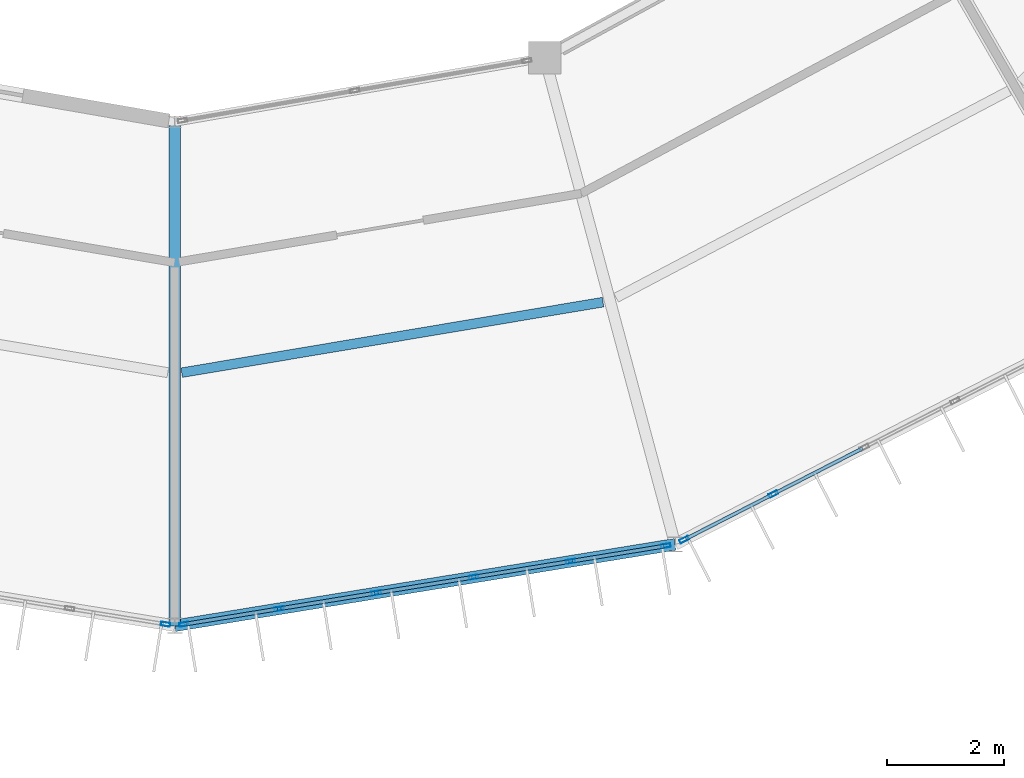
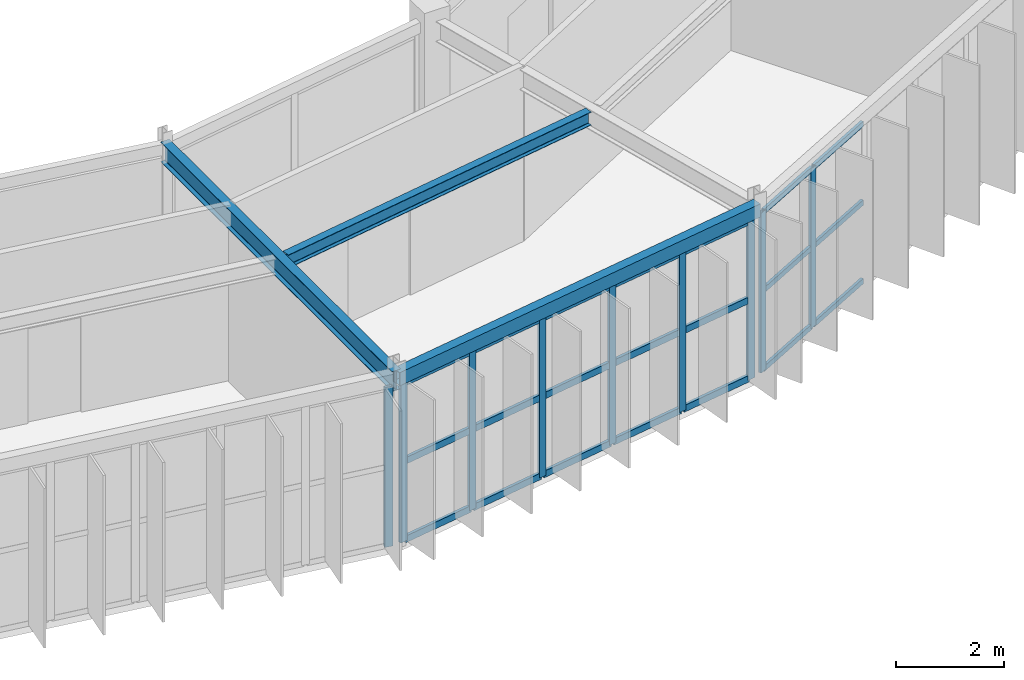
# One storey, part 44 of 134: 30 members, 3 beams, 3 elements without a shape of their own.
"""IFC4 building model written with IfcOpenShell, lengths in metres."""

from ifc_helpers import new_model, si_unit, direction, frame, origin, origin_2d, place, context, subcontext, project, spatial, hollow_rectangle, i_section, extrude, material, material_profile, profile_set, type_object, element, aggregate, save


model = new_model("IFC4")

# Units and contexts
model_context = context("Model", 3, precision=1e-05, world=origin(), true_north=direction((0.0, 1.0)))
body_context = subcontext(model_context, "Body", "Model", "MODEL_VIEW")
ifc_project = project(units=[si_unit("LENGTHUNIT", "METRE"), si_unit("AREAUNIT", "SQUARE_METRE"), si_unit("VOLUMEUNIT", "CUBIC_METRE"), si_unit("PLANEANGLEUNIT", "RADIAN"), si_unit("MASSUNIT", "GRAM", prefix="KILO")], contexts=[model_context])

# Site, building, storey
site_placement = place(None, origin())
site = spatial("IfcSite", under=ifc_project, at=site_placement, CompositionType="ELEMENT")
building_placement = place(site_placement, origin())
building = spatial("IfcBuilding", under=site, at=building_placement, Name="Karori Crest Natural Sciences Institute", CompositionType="ELEMENT")
storey_placement = place(building_placement, frame((0.0, 0.0, 21.699951171875)))
storey = spatial("IfcBuildingStorey", under=building, at=storey_placement, Name="L05", CompositionType="ELEMENT", Elevation=21.699951171875)

# Beams
ifc_material_1 = material(Name="Structural steel AS/NZS 3679.1 Grade 350", Category="steel")
ifc_material_profile_1 = material_profile(ifc_material_1, i_section(OverallWidth=0.1650390625, OverallDepth=0.303955078125, WebThickness=0.006103515625, FlangeThickness=0.01025390625, FilletRadius=0.010986328125, at=origin_2d()), Name="310UB40.4")
ifc_profile_set_1 = profile_set([ifc_material_profile_1], Name="Structural steel AS/NZS 3679.1 Grade 350")
beam_type_1 = type_object("IfcBeamType", Name="BT-10", PredefinedType="BEAM", material=ifc_profile_set_1)
beam_1_placement = place(storey_placement, frame((66.518310546875, 13.419921875, 3.7880859375), z_axis=(0.986276028212, 0.165104803609, 0.0), x_axis=(-0.165104803609, 0.986276028212, 0.0)))
element("IfcBeam", 1, at=beam_1_placement, inside=storey, type_object=beam_type_1, Name="Beam B-0599", PredefinedType="BEAM", context=body_context, shape_type="SweptSolid", body=[
    extrude(i_section(OverallWidth=0.1650390625, OverallDepth=0.303955078125, WebThickness=0.006103515625, FlangeThickness=0.01025390625, FilletRadius=0.010986328125, at=origin_2d()), origin(), (0.0, 0.0, 1.0), 7.29150390625),
])
ifc_material_2 = material(Name="Hollow structural steel AS/NZS 1163 Grade C350", Category="steel")
ifc_material_profile_2 = material_profile(ifc_material_2, hollow_rectangle(XDim=0.199951171875, YDim=0.300048828125, WallThickness=0.010009765625, at=origin_2d()), Name="RHS300x200x10")
ifc_profile_set_2 = profile_set([ifc_material_profile_2], Name="Hollow structural steel AS/NZS 1163 Grade C350")
beam_type_2 = type_object("IfcBeamType", Name="BT-15", PredefinedType="SPANDREL", material=ifc_profile_set_2)
beam_2_placement = place(storey_placement, frame((66.39990234375, 9.10009765625, 3.7900390625), z_axis=(0.987012055933, 0.160646199591, 0.0), x_axis=(-0.160646199591, 0.987012055933, 0.0)))
element("IfcBeam", 2, at=beam_2_placement, inside=storey, type_object=beam_type_2, Name="Beam B-0596", PredefinedType="SPANDREL", context=body_context, shape_type="SweptSolid", body=[
    extrude(hollow_rectangle(XDim=0.199951171875, YDim=0.300048828125, WallThickness=0.010009765625, at=origin_2d()), origin(), (0.0, 0.0, 1.0), 8.6533203125),
])
ifc_material_profile_3 = material_profile(ifc_material_1, i_section(OverallWidth=0.18994140625, OverallDepth=0.4541015625, WebThickness=0.008544921875, FlangeThickness=0.0126953125, FilletRadius=0.010986328125, at=origin_2d()), Name="460UB67.1")
ifc_profile_set_3 = profile_set([ifc_material_profile_3], Name="Structural steel AS/NZS 3679.1 Grade 350")
beam_type_3 = type_object("IfcBeamType", Name="BT-28", PredefinedType="BEAM", material=ifc_profile_set_3)
beam_3_placement = place(storey_placement, frame((66.39990234375, 17.699951171875, 3.713134765625), z_axis=(0.0, -1.0, 0.0), x_axis=(1.0, 0.0, 0.0)))
element("IfcBeam", 3, at=beam_3_placement, inside=storey, type_object=beam_type_3, Name="Beam B-0598", PredefinedType="BEAM", context=body_context, shape_type="SweptSolid", body=[
    extrude(i_section(OverallWidth=0.18994140625, OverallDepth=0.4541015625, WebThickness=0.008544921875, FlangeThickness=0.0126953125, FilletRadius=0.010986328125, at=origin_2d()), origin(), (0.0, 0.0, 1.0), 8.599853515625),
])

# Curtain wall, member
ifc_material_3 = material(Name="Anodised architectural aluminium 6063-T6", Category="aluminium")
curtain_wall_type_1 = type_object("IfcCurtainWallType", Name="CWT-08", PredefinedType="NOTDEFINED", material=ifc_material_3)
curtain_wall_1_placement = place(storey_placement, origin())
curtain_wall_1 = element("IfcCurtainWall", 4, at=curtain_wall_1_placement, inside=storey, type_object=curtain_wall_type_1, Name="Curtain wall CW-0198", PredefinedType="NOTDEFINED")
ifc_material_profile_4 = material_profile(ifc_material_3, hollow_rectangle(XDim=0.06494140625, YDim=0.159912109375, WallThickness=0.00390625, at=origin_2d()), Name="CWM160x65x4")
ifc_profile_set_4 = profile_set([ifc_material_profile_4], Name="Anodised architectural aluminium 6063-T6")
member_type_1 = type_object("IfcMemberType", Name="CWM-01", PredefinedType="MULLION", material=ifc_profile_set_4)
member_1_placement = place(storey_placement, frame((66.241943359375, 9.125732421875, 0.0), z_axis=(0.0, 0.0, 1.0), x_axis=(-0.160655493101, -0.987010543275, 0.0)))
member_1 = element("IfcMember", 5, at=member_1_placement, type_object=member_type_1, Name="CW-0198 mullion 1", PredefinedType="MULLION", context=body_context, shape_type="SweptSolid", body=[
    extrude(hollow_rectangle(XDim=0.06494140625, YDim=0.159912109375, WallThickness=0.00390625, at=origin_2d()), origin(), (0.0, 0.0, 1.0), 3.625),
])
aggregate(curtain_wall_1, [member_1])

# Curtain wall, members
curtain_wall_type_2 = type_object("IfcCurtainWallType", Name="CWT-09", PredefinedType="NOTDEFINED", material=ifc_material_3)
curtain_wall_2_placement = place(storey_placement, origin())
curtain_wall_2 = element("IfcCurtainWall", 6, at=curtain_wall_2_placement, inside=storey, type_object=curtain_wall_type_2, Name="Curtain wall CW-0199", PredefinedType="NOTDEFINED")
member_2_placement = place(storey_placement, frame((74.783935546875, 10.464599609375, 0.0), z_axis=(0.0, 0.0, 1.0), x_axis=(0.160650246484, -0.987011397252, 0.0)))
member_2 = element("IfcMember", 7, at=member_2_placement, type_object=member_type_1, Name="CW-0199 mullion 1", PredefinedType="MULLION", context=body_context, shape_type="SweptSolid", body=[
    extrude(hollow_rectangle(XDim=0.06494140625, YDim=0.159912109375, WallThickness=0.00390625, at=origin_2d()), origin(), (0.0, 0.0, 1.0), 3.625),
])
member_3_placement = place(storey_placement, frame((73.157958984375, 10.199951171875, 0.0), z_axis=(0.0, 0.0, 1.0), x_axis=(0.160650246484, -0.987011397252, 0.0)))
member_3 = element("IfcMember", 8, at=member_3_placement, type_object=member_type_1, Name="CW-0199 mullion 2", PredefinedType="MULLION", context=body_context, shape_type="SweptSolid", body=[
    extrude(hollow_rectangle(XDim=0.06494140625, YDim=0.159912109375, WallThickness=0.00390625, at=origin_2d()), origin(), (0.0, 0.0, 1.0), 3.625),
])
member_4_placement = place(storey_placement, frame((71.5, 9.93017578125, 0.0), z_axis=(0.0, 0.0, 1.0), x_axis=(0.160650246484, -0.987011397252, 0.0)))
member_4 = element("IfcMember", 9, at=member_4_placement, type_object=member_type_1, Name="CW-0199 mullion 3", PredefinedType="MULLION", context=body_context, shape_type="SweptSolid", body=[
    extrude(hollow_rectangle(XDim=0.06494140625, YDim=0.159912109375, WallThickness=0.00390625, at=origin_2d()), origin(), (0.0, 0.0, 1.0), 3.625),
])
member_5_placement = place(storey_placement, frame((69.842041015625, 9.66015625, 0.0), z_axis=(0.0, 0.0, 1.0), x_axis=(0.160650246484, -0.987011397252, 0.0)))
member_5 = element("IfcMember", 10, at=member_5_placement, type_object=member_type_1, Name="CW-0199 mullion 4", PredefinedType="MULLION", context=body_context, shape_type="SweptSolid", body=[
    extrude(hollow_rectangle(XDim=0.06494140625, YDim=0.159912109375, WallThickness=0.00390625, at=origin_2d()), origin(), (0.0, 0.0, 1.0), 3.625),
])
member_6_placement = place(storey_placement, frame((68.18408203125, 9.390380859375, 0.0), z_axis=(0.0, 0.0, 1.0), x_axis=(0.160650246484, -0.987011397252, 0.0)))
member_6 = element("IfcMember", 11, at=member_6_placement, type_object=member_type_1, Name="CW-0199 mullion 5", PredefinedType="MULLION", context=body_context, shape_type="SweptSolid", body=[
    extrude(hollow_rectangle(XDim=0.06494140625, YDim=0.159912109375, WallThickness=0.00390625, at=origin_2d()), origin(), (0.0, 0.0, 1.0), 3.625),
])
member_7_placement = place(storey_placement, frame((66.55810546875, 9.125732421875, 0.0), z_axis=(0.0, 0.0, 1.0), x_axis=(0.160650246484, -0.987011397252, 0.0)))
member_7 = element("IfcMember", 12, at=member_7_placement, type_object=member_type_1, Name="CW-0199 mullion 6", PredefinedType="MULLION", context=body_context, shape_type="SweptSolid", body=[
    extrude(hollow_rectangle(XDim=0.06494140625, YDim=0.159912109375, WallThickness=0.00390625, at=origin_2d()), origin(), (0.0, 0.0, 1.0), 3.625),
])

curtain_wall_type_3 = type_object("IfcCurtainWallType", Name="CWT-10", PredefinedType="NOTDEFINED", material=ifc_material_3)
curtain_wall_3_placement = place(storey_placement, origin())
curtain_wall_3 = element("IfcCurtainWall", 13, at=curtain_wall_3_placement, inside=storey, type_object=curtain_wall_type_3, Name="Curtain wall CW-0201", PredefinedType="NOTDEFINED")
member_8_placement = place(storey_placement, frame((76.617919921875, 11.348876953125, 0.0), z_axis=(0.0, 0.0, 1.0), x_axis=(0.455828878252, -0.890067432138, 0.0)))
member_8 = element("IfcMember", 14, at=member_8_placement, type_object=member_type_1, Name="CW-0201 mullion 5", PredefinedType="MULLION", context=body_context, shape_type="SweptSolid", body=[
    extrude(hollow_rectangle(XDim=0.06494140625, YDim=0.159912109375, WallThickness=0.00390625, at=origin_2d()), origin(), (0.0, 0.0, 1.0), 3.625),
])
member_9_placement = place(storey_placement, frame((75.09521484375, 10.569091796875, 0.0), z_axis=(0.0, 0.0, 1.0), x_axis=(0.455828878252, -0.890067432138, 0.0)))
member_9 = element("IfcMember", 15, at=member_9_placement, type_object=member_type_1, Name="CW-0201 mullion 6", PredefinedType="MULLION", context=body_context, shape_type="SweptSolid", body=[
    extrude(hollow_rectangle(XDim=0.06494140625, YDim=0.159912109375, WallThickness=0.00390625, at=origin_2d()), origin(), (0.0, 0.0, 1.0), 3.625),
])
ifc_material_profile_5 = material_profile(ifc_material_3, hollow_rectangle(XDim=0.06005859375, YDim=0.1201171875, WallThickness=0.00390625, at=origin_2d()), Name="CWT120x60x4")
ifc_profile_set_5 = profile_set([ifc_material_profile_5], Name="Anodised architectural aluminium 6063-T6")
member_type_2 = type_object("IfcMemberType", Name="CWT-TR1", PredefinedType="USERDEFINED", material=ifc_profile_set_5)
member_10_placement = place(storey_placement, frame((78.140625, 12.12890625, 0.030029296875), z_axis=(-0.890050562189, -0.455861817601, 0.0), x_axis=(0.455861817601, -0.890050562189, 0.0)))
member_10 = element("IfcMember", 16, at=member_10_placement, type_object=member_type_2, Name="CW-0201 transom 4.1", ObjectType="TRANSOM", PredefinedType="USERDEFINED", context=body_context, shape_type="SweptSolid", body=[
    extrude(hollow_rectangle(XDim=0.06005859375, YDim=0.1201171875, WallThickness=0.00390625, at=origin_2d()), origin(), (0.0, 0.0, 1.0), 1.678466796875),
])
member_11_placement = place(storey_placement, frame((78.140625, 12.12890625, 1.8125), z_axis=(-0.890050562189, -0.455861817601, 0.0), x_axis=(0.455861817601, -0.890050562189, 0.0)))
member_11 = element("IfcMember", 17, at=member_11_placement, type_object=member_type_2, Name="CW-0201 transom 4.2", ObjectType="TRANSOM", PredefinedType="USERDEFINED", context=body_context, shape_type="SweptSolid", body=[
    extrude(hollow_rectangle(XDim=0.06005859375, YDim=0.1201171875, WallThickness=0.00390625, at=origin_2d()), origin(), (0.0, 0.0, 1.0), 1.678466796875),
])
member_12_placement = place(storey_placement, frame((78.140625, 12.12890625, 3.594970703125), z_axis=(-0.890050562189, -0.455861817601, 0.0), x_axis=(0.455861817601, -0.890050562189, 0.0)))
member_12 = element("IfcMember", 18, at=member_12_placement, type_object=member_type_2, Name="CW-0201 transom 4.3", ObjectType="TRANSOM", PredefinedType="USERDEFINED", context=body_context, shape_type="SweptSolid", body=[
    extrude(hollow_rectangle(XDim=0.06005859375, YDim=0.1201171875, WallThickness=0.00390625, at=origin_2d()), origin(), (0.0, 0.0, 1.0), 1.678466796875),
])
member_13_placement = place(storey_placement, frame((76.589111328125, 11.334228515625, 0.030029296875), z_axis=(-0.890084461025, -0.455795625518, 0.0), x_axis=(0.455795625518, -0.890084461025, 0.0)))
member_13 = element("IfcMember", 19, at=member_13_placement, type_object=member_type_2, Name="CW-0201 transom 5.1", ObjectType="TRANSOM", PredefinedType="USERDEFINED", context=body_context, shape_type="SweptSolid", body=[
    extrude(hollow_rectangle(XDim=0.06005859375, YDim=0.1201171875, WallThickness=0.00390625, at=origin_2d()), origin(), (0.0, 0.0, 1.0), 1.64599609375),
])
member_14_placement = place(storey_placement, frame((76.589111328125, 11.334228515625, 1.8125), z_axis=(-0.890084461025, -0.455795625518, 0.0), x_axis=(0.455795625518, -0.890084461025, 0.0)))
member_14 = element("IfcMember", 20, at=member_14_placement, type_object=member_type_2, Name="CW-0201 transom 5.2", ObjectType="TRANSOM", PredefinedType="USERDEFINED", context=body_context, shape_type="SweptSolid", body=[
    extrude(hollow_rectangle(XDim=0.06005859375, YDim=0.1201171875, WallThickness=0.00390625, at=origin_2d()), origin(), (0.0, 0.0, 1.0), 1.64599609375),
])
member_15_placement = place(storey_placement, frame((76.589111328125, 11.334228515625, 3.594970703125), z_axis=(-0.890084461025, -0.455795625518, 0.0), x_axis=(0.455795625518, -0.890084461025, 0.0)))
member_15 = element("IfcMember", 21, at=member_15_placement, type_object=member_type_2, Name="CW-0201 transom 5.3", ObjectType="TRANSOM", PredefinedType="USERDEFINED", context=body_context, shape_type="SweptSolid", body=[
    extrude(hollow_rectangle(XDim=0.06005859375, YDim=0.1201171875, WallThickness=0.00390625, at=origin_2d()), origin(), (0.0, 0.0, 1.0), 1.64599609375),
])
aggregate(curtain_wall_3, [member_8, member_9, member_10, member_11, member_12, member_13, member_14, member_15])

# Member
ifc_material_profile_6 = material_profile(ifc_material_3, hollow_rectangle(XDim=0.06494140625, YDim=0.14990234375, WallThickness=0.00390625, at=origin_2d()), Name="CWT150x65x4")
ifc_profile_set_6 = profile_set([ifc_material_profile_6], Name="Anodised architectural aluminium 6063-T6")
member_type_3 = type_object("IfcMemberType", Name="CWT-TR2", PredefinedType="USERDEFINED", material=ifc_profile_set_6)
member_16_placement = place(storey_placement, frame((74.751708984375, 10.45947265625, 0.032470703125), z_axis=(-0.98699190147, -0.160769979886, 0.0), x_axis=(0.160769979886, -0.98699190147, 0.0)))
member_16 = element("IfcMember", 22, at=member_16_placement, type_object=member_type_3, Name="CW-0199 transom 1.1", ObjectType="TRANSOM", PredefinedType="USERDEFINED", context=body_context, shape_type="SweptSolid", body=[
    extrude(hollow_rectangle(XDim=0.06494140625, YDim=0.14990234375, WallThickness=0.00390625, at=origin_2d()), origin(), (0.0, 0.0, 1.0), 1.582275390625),
])

member_17_placement = place(storey_placement, frame((74.751708984375, 10.45947265625, 1.8125), z_axis=(-0.98699190147, -0.160769979886, 0.0), x_axis=(0.160769979886, -0.98699190147, 0.0)))
member_17 = element("IfcMember", 23, at=member_17_placement, type_object=member_type_3, Name="CW-0199 transom 1.2", ObjectType="TRANSOM", PredefinedType="USERDEFINED", context=body_context, shape_type="SweptSolid", body=[
    extrude(hollow_rectangle(XDim=0.06494140625, YDim=0.14990234375, WallThickness=0.00390625, at=origin_2d()), origin(), (0.0, 0.0, 1.0), 1.582275390625),
])

member_18_placement = place(storey_placement, frame((74.751708984375, 10.45947265625, 3.592529296875), z_axis=(-0.98699190147, -0.160769979886, 0.0), x_axis=(0.160769979886, -0.98699190147, 0.0)))
member_18 = element("IfcMember", 24, at=member_18_placement, type_object=member_type_3, Name="CW-0199 transom 1.3", ObjectType="TRANSOM", PredefinedType="USERDEFINED", context=body_context, shape_type="SweptSolid", body=[
    extrude(hollow_rectangle(XDim=0.06494140625, YDim=0.14990234375, WallThickness=0.00390625, at=origin_2d()), origin(), (0.0, 0.0, 1.0), 1.582275390625),
])

member_19_placement = place(storey_placement, frame((73.125732421875, 10.19482421875, 0.032470703125), z_axis=(-0.987000019858, -0.16072013191, 0.0), x_axis=(0.16072013191, -0.987000019858, 0.0)))
member_19 = element("IfcMember", 25, at=member_19_placement, type_object=member_type_3, Name="CW-0199 transom 2.1", ObjectType="TRANSOM", PredefinedType="USERDEFINED", context=body_context, shape_type="SweptSolid", body=[
    extrude(hollow_rectangle(XDim=0.06494140625, YDim=0.14990234375, WallThickness=0.00390625, at=origin_2d()), origin(), (0.0, 0.0, 1.0), 1.61474609375),
])

member_20_placement = place(storey_placement, frame((73.125732421875, 10.19482421875, 1.8125), z_axis=(-0.987000019858, -0.16072013191, 0.0), x_axis=(0.16072013191, -0.987000019858, 0.0)))
member_20 = element("IfcMember", 26, at=member_20_placement, type_object=member_type_3, Name="CW-0199 transom 2.2", ObjectType="TRANSOM", PredefinedType="USERDEFINED", context=body_context, shape_type="SweptSolid", body=[
    extrude(hollow_rectangle(XDim=0.06494140625, YDim=0.14990234375, WallThickness=0.00390625, at=origin_2d()), origin(), (0.0, 0.0, 1.0), 1.61474609375),
])

member_21_placement = place(storey_placement, frame((73.125732421875, 10.19482421875, 3.592529296875), z_axis=(-0.987000019858, -0.16072013191, 0.0), x_axis=(0.16072013191, -0.987000019858, 0.0)))
member_21 = element("IfcMember", 27, at=member_21_placement, type_object=member_type_3, Name="CW-0199 transom 2.3", ObjectType="TRANSOM", PredefinedType="USERDEFINED", context=body_context, shape_type="SweptSolid", body=[
    extrude(hollow_rectangle(XDim=0.06494140625, YDim=0.14990234375, WallThickness=0.00390625, at=origin_2d()), origin(), (0.0, 0.0, 1.0), 1.61474609375),
])

member_22_placement = place(storey_placement, frame((71.4677734375, 9.9248046875, 0.032470703125), z_axis=(-0.987023993607, -0.160572837195, 0.0), x_axis=(0.160572837195, -0.987023993607, 0.0)))
member_22 = element("IfcMember", 28, at=member_22_placement, type_object=member_type_3, Name="CW-0199 transom 3.1", ObjectType="TRANSOM", PredefinedType="USERDEFINED", context=body_context, shape_type="SweptSolid", body=[
    extrude(hollow_rectangle(XDim=0.06494140625, YDim=0.14990234375, WallThickness=0.00390625, at=origin_2d()), origin(), (0.0, 0.0, 1.0), 1.61474609375),
])

member_23_placement = place(storey_placement, frame((71.4677734375, 9.9248046875, 1.8125), z_axis=(-0.987023993607, -0.160572837195, 0.0), x_axis=(0.160572837195, -0.987023993607, 0.0)))
member_23 = element("IfcMember", 29, at=member_23_placement, type_object=member_type_3, Name="CW-0199 transom 3.2", ObjectType="TRANSOM", PredefinedType="USERDEFINED", context=body_context, shape_type="SweptSolid", body=[
    extrude(hollow_rectangle(XDim=0.06494140625, YDim=0.14990234375, WallThickness=0.00390625, at=origin_2d()), origin(), (0.0, 0.0, 1.0), 1.61474609375),
])

member_24_placement = place(storey_placement, frame((71.4677734375, 9.9248046875, 3.592529296875), z_axis=(-0.987023993607, -0.160572837195, 0.0), x_axis=(0.160572837195, -0.987023993607, 0.0)))
member_24 = element("IfcMember", 30, at=member_24_placement, type_object=member_type_3, Name="CW-0199 transom 3.3", ObjectType="TRANSOM", PredefinedType="USERDEFINED", context=body_context, shape_type="SweptSolid", body=[
    extrude(hollow_rectangle(XDim=0.06494140625, YDim=0.14990234375, WallThickness=0.00390625, at=origin_2d()), origin(), (0.0, 0.0, 1.0), 1.61474609375),
])

member_25_placement = place(storey_placement, frame((69.809814453125, 9.655029296875, 0.032470703125), z_axis=(-0.987000019858, -0.16072013191, 0.0), x_axis=(0.16072013191, -0.987000019858, 0.0)))
member_25 = element("IfcMember", 31, at=member_25_placement, type_object=member_type_3, Name="CW-0199 transom 4.1", ObjectType="TRANSOM", PredefinedType="USERDEFINED", context=body_context, shape_type="SweptSolid", body=[
    extrude(hollow_rectangle(XDim=0.06494140625, YDim=0.14990234375, WallThickness=0.00390625, at=origin_2d()), origin(), (0.0, 0.0, 1.0), 1.61474609375),
])

member_26_placement = place(storey_placement, frame((69.809814453125, 9.655029296875, 1.8125), z_axis=(-0.987000019858, -0.16072013191, 0.0), x_axis=(0.16072013191, -0.987000019858, 0.0)))
member_26 = element("IfcMember", 32, at=member_26_placement, type_object=member_type_3, Name="CW-0199 transom 4.2", ObjectType="TRANSOM", PredefinedType="USERDEFINED", context=body_context, shape_type="SweptSolid", body=[
    extrude(hollow_rectangle(XDim=0.06494140625, YDim=0.14990234375, WallThickness=0.00390625, at=origin_2d()), origin(), (0.0, 0.0, 1.0), 1.61474609375),
])

member_27_placement = place(storey_placement, frame((69.809814453125, 9.655029296875, 3.592529296875), z_axis=(-0.987000019858, -0.16072013191, 0.0), x_axis=(0.16072013191, -0.987000019858, 0.0)))
member_27 = element("IfcMember", 33, at=member_27_placement, type_object=member_type_3, Name="CW-0199 transom 4.3", ObjectType="TRANSOM", PredefinedType="USERDEFINED", context=body_context, shape_type="SweptSolid", body=[
    extrude(hollow_rectangle(XDim=0.06494140625, YDim=0.14990234375, WallThickness=0.00390625, at=origin_2d()), origin(), (0.0, 0.0, 1.0), 1.61474609375),
])

member_28_placement = place(storey_placement, frame((68.15185546875, 9.38525390625, 0.032470703125), z_axis=(-0.98699190147, -0.160769979886, 0.0), x_axis=(0.160769979886, -0.98699190147, 0.0)))
member_28 = element("IfcMember", 34, at=member_28_placement, type_object=member_type_3, Name="CW-0199 transom 5.1", ObjectType="TRANSOM", PredefinedType="USERDEFINED", context=body_context, shape_type="SweptSolid", body=[
    extrude(hollow_rectangle(XDim=0.06494140625, YDim=0.14990234375, WallThickness=0.00390625, at=origin_2d()), origin(), (0.0, 0.0, 1.0), 1.582275390625),
])

member_29_placement = place(storey_placement, frame((68.15185546875, 9.38525390625, 1.8125), z_axis=(-0.98699190147, -0.160769979886, 0.0), x_axis=(0.160769979886, -0.98699190147, 0.0)))
member_29 = element("IfcMember", 35, at=member_29_placement, type_object=member_type_3, Name="CW-0199 transom 5.2", ObjectType="TRANSOM", PredefinedType="USERDEFINED", context=body_context, shape_type="SweptSolid", body=[
    extrude(hollow_rectangle(XDim=0.06494140625, YDim=0.14990234375, WallThickness=0.00390625, at=origin_2d()), origin(), (0.0, 0.0, 1.0), 1.582275390625),
])

member_30_placement = place(storey_placement, frame((68.15185546875, 9.38525390625, 3.592529296875), z_axis=(-0.98699190147, -0.160769979886, 0.0), x_axis=(0.160769979886, -0.98699190147, 0.0)))
member_30 = element("IfcMember", 36, at=member_30_placement, type_object=member_type_3, Name="CW-0199 transom 5.3", ObjectType="TRANSOM", PredefinedType="USERDEFINED", context=body_context, shape_type="SweptSolid", body=[
    extrude(hollow_rectangle(XDim=0.06494140625, YDim=0.14990234375, WallThickness=0.00390625, at=origin_2d()), origin(), (0.0, 0.0, 1.0), 1.582275390625),
])

aggregate(curtain_wall_2, [member_2, member_3, member_4, member_5, member_6, member_7, member_16, member_17, member_18, member_19, member_20, member_21, member_22, member_23, member_24, member_25, member_26, member_27, member_28, member_29, member_30])

save(model, "model.ifc")
